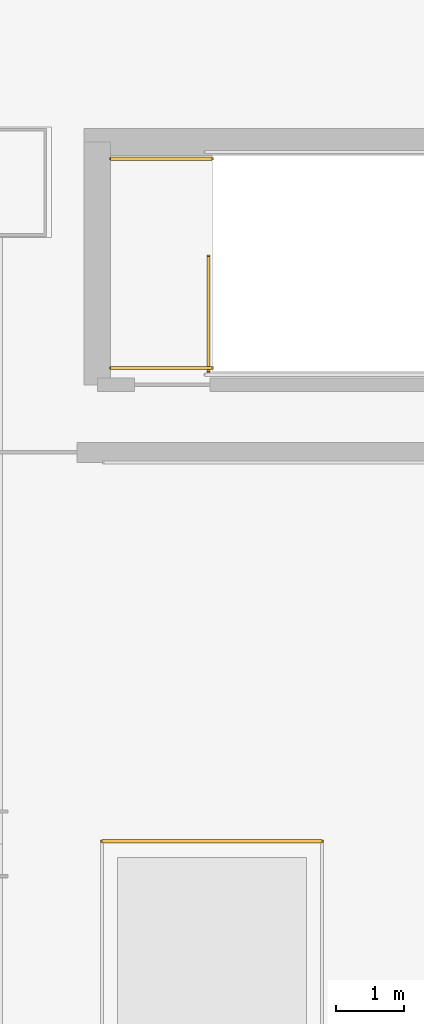
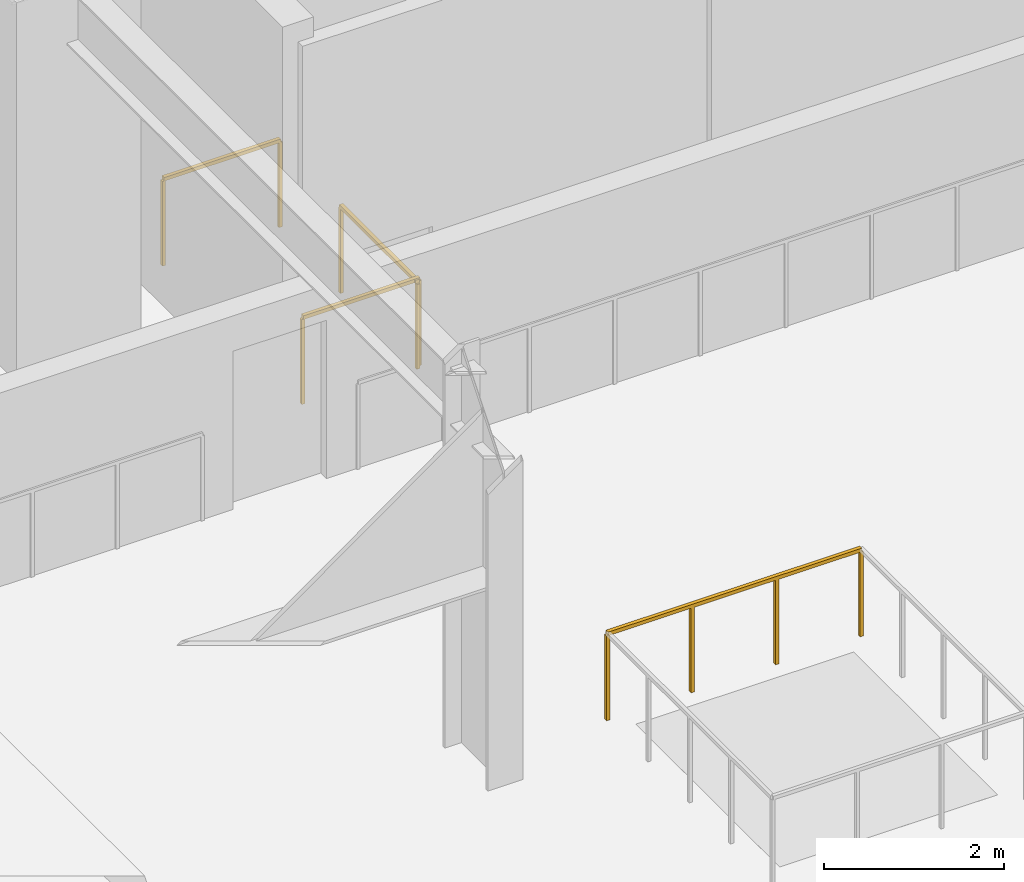
# One storey, part 23 of 29: 4 railings.
"""IFC4 building model written with IfcOpenShell, lengths in metres."""

from ifc_helpers import new_model, si_unit, direction, frame, origin, origin_2d, place, context, subcontext, project, spatial, rectangle, extrude, material, type_object, element, save


model = new_model("IFC4")

# Units and contexts
model_context = context("Model", 3, precision=1e-05, world=origin(), true_north=direction((0.0, 1.0)))
body_context = subcontext(model_context, "Body", "Model", "MODEL_VIEW")
ifc_project = project(units=[si_unit("LENGTHUNIT", "METRE"), si_unit("AREAUNIT", "SQUARE_METRE"), si_unit("VOLUMEUNIT", "CUBIC_METRE"), si_unit("PLANEANGLEUNIT", "RADIAN"), si_unit("MASSUNIT", "GRAM", prefix="KILO")], contexts=[model_context])

# Site, building, storey
site_placement = place(None, origin())
site = spatial("IfcSite", under=ifc_project, at=site_placement, CompositionType="ELEMENT")
building_placement = place(site_placement, origin())
building = spatial("IfcBuilding", under=site, at=building_placement, Name="Haevon Station Towers", CompositionType="ELEMENT")
storey_placement = place(building_placement, frame((0.0, 0.0, 25.199951171875)))
storey = spatial("IfcBuildingStorey", under=building, at=storey_placement, Name="L05", CompositionType="ELEMENT", Elevation=25.199951171875)

# Railings
ifc_material = material(Name="Steel S355", Category="steel")
railing_type_1 = type_object("IfcRailingType", Name="GRD-EXT1200", PredefinedType="GUARDRAIL", material=ifc_material)
railing_1_placement = place(storey_placement, frame((69.629638671875, 38.23974609375, 0.0)))
element("IfcRailing", 1, at=railing_1_placement, inside=storey, type_object=railing_type_1, Name="L05 Atrium Void Balustrade 3", PredefinedType="GUARDRAIL", context=body_context, shape_type="SweptSolid", body=[
    extrude(rectangle(XDim=0.048095703125, YDim=0.048095703125, at=origin_2d()), frame((0.0, 0.0, 1.17578125), z_axis=(-1.0, 0.0, 0.0), x_axis=(0.0, -1.0, 0.0)), (0.0, 0.0, 1.0), 3.25927734375),
    extrude(rectangle(XDim=0.0419921875, YDim=0.0419921875, at=origin_2d()), origin(), (0.0, 0.0, 1.0), 1.15185546875),
    extrude(rectangle(XDim=0.0419921875, YDim=0.0419921875, at=origin_2d()), frame((-1.08642578125, 0.0, 0.0)), (0.0, 0.0, 1.0), 1.15185546875),
    extrude(rectangle(XDim=0.0419921875, YDim=0.0419921875, at=origin_2d()), frame((-2.1728515625, 0.0, 0.0)), (0.0, 0.0, 1.0), 1.15185546875),
    extrude(rectangle(XDim=0.0419921875, YDim=0.0419921875, at=origin_2d()), frame((-3.25927734375, 0.0, 0.0)), (0.0, 0.0, 1.0), 1.15185546875),
])
railing_type_2 = type_object("IfcRailingType", Name="GRD-STR1200", PredefinedType="GUARDRAIL", material=ifc_material)
railing_2_placement = place(storey_placement, frame((67.949951171875, 45.199951171875, 0.0)))
element("IfcRailing", 2, at=railing_2_placement, inside=storey, type_object=railing_type_2, Name="L05 ST6 Top Well Guard 1", PredefinedType="GUARDRAIL", context=body_context, shape_type="SweptSolid", body=[
    extrude(rectangle(XDim=0.048095703125, YDim=0.048095703125, at=origin_2d()), frame((0.0, 0.0, 1.17578125), z_axis=(0.0, 1.0, 0.0), x_axis=(-1.0, 0.0, 0.0)), (0.0, 0.0, 1.0), 1.699951171875),
    extrude(rectangle(XDim=0.0419921875, YDim=0.0419921875, at=origin_2d()), origin(), (0.0, 0.0, 1.0), 1.15185546875),
    extrude(rectangle(XDim=0.0419921875, YDim=0.0419921875, at=origin_2d()), frame((0.0, 1.699951171875, 0.0)), (0.0, 0.0, 1.0), 1.15185546875),
])
for number, where, name in (
    (3, (66.5, 45.25, 0.0), "L05 ST6 Top Well Guard 5"),
    (4, (66.5, 48.35009765625, 0.0), "L05 ST6 Top Well Guard 6"),
):
    element("IfcRailing", number, at=place(storey_placement, frame(where)), inside=storey, type_object=railing_type_2, Name=name, PredefinedType="GUARDRAIL", context=body_context, shape_type="SweptSolid", body=[
        extrude(rectangle(XDim=0.048095703125, YDim=0.048095703125, at=origin_2d()), frame((0.0, 0.0, 1.17578125), z_axis=(1.0, 0.0, 0.0), x_axis=(0.0, 1.0, 0.0)), (0.0, 0.0, 1.0), 1.5),
        extrude(rectangle(XDim=0.0419921875, YDim=0.0419921875, at=origin_2d()), origin(), (0.0, 0.0, 1.0), 1.15185546875),
        extrude(rectangle(XDim=0.0419921875, YDim=0.0419921875, at=origin_2d()), frame((1.5, 0.0, 0.0)), (0.0, 0.0, 1.0), 1.15185546875),
    ])

save(model, "model.ifc")
